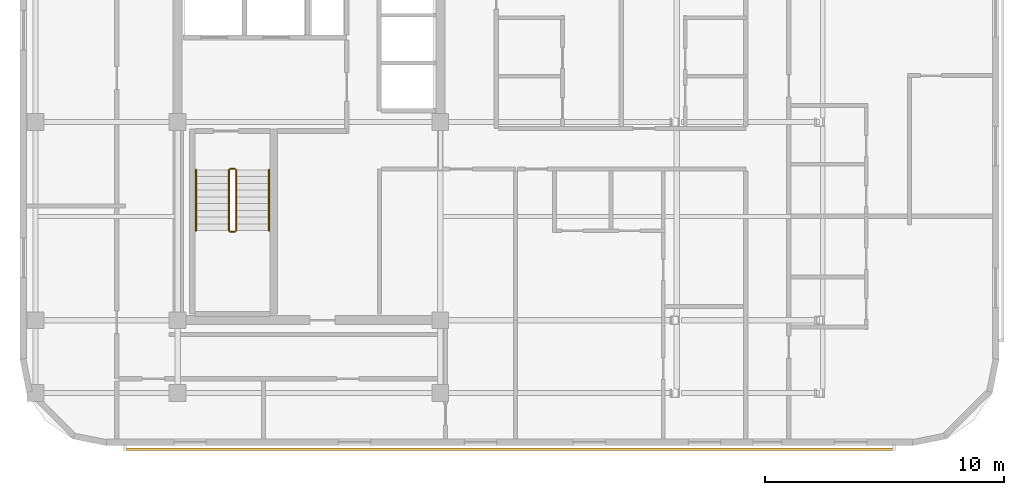
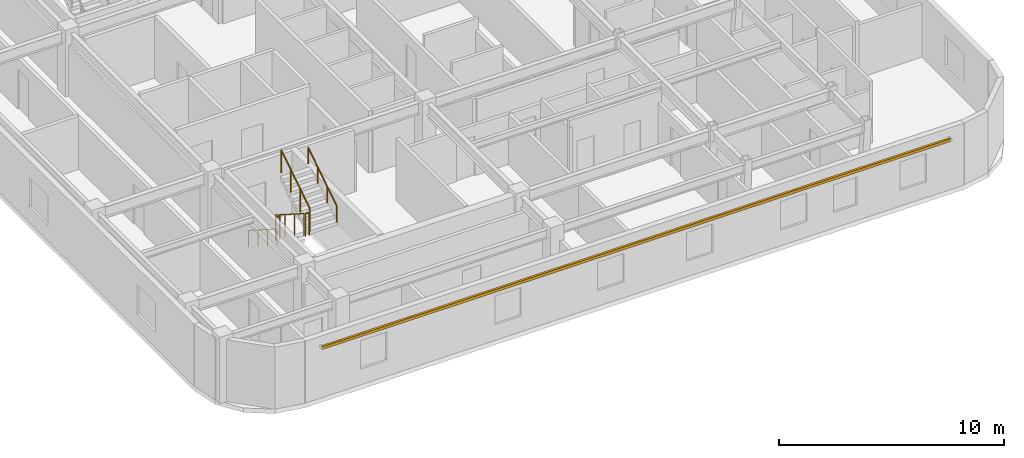
# One storey, part 8 of 10: 6 railings, 1 shading device.
"""IFC4 building model written with IfcOpenShell, lengths in metres."""

from ifc_helpers import new_model, si_unit, direction, frame, origin, origin_2d, place, context, subcontext, project, spatial, rectangle, circle, extrude, material, material_profile, profile_set, type_object, element, save


model = new_model("IFC4")

# Units and contexts
model_context = context("Model", 3, precision=1e-05, world=origin(), true_north=direction((0.0, 1.0)))
body_context = subcontext(model_context, "Body", "Model", "MODEL_VIEW")
ifc_project = project(units=[si_unit("LENGTHUNIT", "METRE"), si_unit("AREAUNIT", "SQUARE_METRE"), si_unit("VOLUMEUNIT", "CUBIC_METRE"), si_unit("PLANEANGLEUNIT", "RADIAN"), si_unit("MASSUNIT", "GRAM", prefix="KILO")], contexts=[model_context])

# Site, building, storey
site_placement = place(None, origin())
site = spatial("IfcSite", under=ifc_project, at=site_placement, CompositionType="ELEMENT")
building_placement = place(site_placement, origin())
building = spatial("IfcBuilding", under=site, at=building_placement, Name="Ochreholt Gables", CompositionType="ELEMENT")
storey_placement = place(building_placement, frame((0.0, 0.0, 144.60009765625)))
storey = spatial("IfcBuildingStorey", under=building, at=storey_placement, Name="L37", CompositionType="ELEMENT", Elevation=144.60009765625)

# Railings
ifc_material_1 = material(Name="Painted Steel Stair Guardrail", Category="steel")
railing_type_1 = type_object("IfcRailingType", Name="RL-ST-GUARD", PredefinedType="GUARDRAIL", material=ifc_material_1)
railing_1_placement = place(storey_placement, frame((26.35009765625, 15.5400390625, 0.179931640625)))
element("IfcRailing", 1, at=railing_1_placement, inside=storey, type_object=railing_type_1, Name="L37 ST-1 stair guard 1", PredefinedType="GUARDRAIL", context=body_context, shape_type="SweptSolid", body=[
    extrude(circle(Radius=0.02392578125, at=origin_2d()), frame((0.0, 0.0, 1.22607421875), z_axis=(0.0, -0.842949592929, 0.537992549931), x_axis=(1.0, 0.0, 0.0)), (0.0, 0.0, 1.0), 3.010986328125),
    extrude(circle(Radius=0.02099609375, at=origin_2d()), origin(), (0.0, 0.0, 1.0), 1.201904296875),
    extrude(circle(Radius=0.02099609375, at=origin_2d()), frame((0.0, -0.845947265625, 0.5400390625)), (0.0, 0.0, 1.0), 1.201904296875),
    extrude(circle(Radius=0.02099609375, at=origin_2d()), frame((0.0, -1.692138671875, 1.079833984375)), (0.0, 0.0, 1.0), 1.201904296875),
    extrude(circle(Radius=0.02099609375, at=origin_2d()), frame((0.0, -2.5380859375, 1.619873046875)), (0.0, 0.0, 1.0), 1.201904296875),
])
railing_2_placement = place(storey_placement, frame((26.39990234375, 12.951904296875, 1.7998046875)))
element("IfcRailing", 2, at=railing_2_placement, inside=storey, type_object=railing_type_1, Name="L37 ST-1 stair guard 2", PredefinedType="GUARDRAIL", context=body_context, shape_type="SweptSolid", body=[
    extrude(circle(Radius=0.02392578125, at=origin_2d()), frame((0.0, 0.0, 1.22607421875), z_axis=(1.0, 0.0, 0.0), x_axis=(0.0, 1.0, 0.0)), (0.0, 0.0, 1.0), 0.2001953125),
    extrude(circle(Radius=0.02099609375, at=origin_2d()), origin(), (0.0, 0.0, 1.0), 1.201904296875),
    extrude(circle(Radius=0.02099609375, at=origin_2d()), frame((0.2001953125, 0.0, 0.0)), (0.0, 0.0, 1.0), 1.201904296875),
])
railing_3_placement = place(storey_placement, frame((26.64990234375, 13.001953125, 1.97998046875)))
element("IfcRailing", 3, at=railing_3_placement, inside=storey, type_object=railing_type_1, Name="L37 ST-1 stair guard 3", PredefinedType="GUARDRAIL", context=body_context, shape_type="SweptSolid", body=[
    extrude(circle(Radius=0.02392578125, at=origin_2d()), frame((0.0, 0.0, 1.22607421875), z_axis=(0.0, 0.842949592929, 0.537992549931), x_axis=(-1.0, 0.0, 0.0)), (0.0, 0.0, 1.0), 3.010986328125),
    extrude(circle(Radius=0.02099609375, at=origin_2d()), origin(), (0.0, 0.0, 1.0), 1.201904296875),
    extrude(circle(Radius=0.02099609375, at=origin_2d()), frame((0.0, 0.845947265625, 0.5400390625)), (0.0, 0.0, 1.0), 1.201904296875),
    extrude(circle(Radius=0.02099609375, at=origin_2d()), frame((0.0, 1.692138671875, 1.079833984375)), (0.0, 0.0, 1.0), 1.201904296875),
    extrude(circle(Radius=0.02099609375, at=origin_2d()), frame((0.0, 2.5380859375, 1.619873046875)), (0.0, 0.0, 1.0), 1.201904296875),
])
railing_4_placement = place(storey_placement, frame((26.39990234375, 15.590087890625, 0.0)))
element("IfcRailing", 4, at=railing_4_placement, inside=storey, type_object=railing_type_1, Name="L37 ST-1 stair guard 4", PredefinedType="GUARDRAIL", context=body_context, shape_type="SweptSolid", body=[
    extrude(circle(Radius=0.02392578125, at=origin_2d()), frame((0.0, 0.0, 1.22607421875), z_axis=(1.0, 0.0, 0.0), x_axis=(0.0, 1.0, 0.0)), (0.0, 0.0, 1.0), 0.2001953125),
    extrude(circle(Radius=0.02099609375, at=origin_2d()), origin(), (0.0, 0.0, 1.0), 1.201904296875),
    extrude(circle(Radius=0.02099609375, at=origin_2d()), frame((0.2001953125, 0.0, 0.0)), (0.0, 0.0, 1.0), 1.201904296875),
])
ifc_material_2 = material(Name="Brushed Stainless Steel Wall Handrail", Category="steel")
railing_type_2 = type_object("IfcRailingType", Name="RL-ST-HAND", PredefinedType="HANDRAIL", material=ifc_material_2)
railing_5_placement = place(storey_placement, frame((24.969970703125, 15.5400390625, 0.179931640625)))
element("IfcRailing", 5, at=railing_5_placement, inside=storey, type_object=railing_type_2, Name="L37 ST-1 stair handrail 1", PredefinedType="HANDRAIL", context=body_context, shape_type="SweptSolid", body=[
    extrude(circle(Radius=0.02392578125, at=origin_2d()), frame((0.0, 0.0, 0.8759765625), z_axis=(0.0, -0.842949592929, 0.537992549931), x_axis=(1.0, 0.0, 0.0)), (0.0, 0.0, 1.0), 3.010986328125),
    extrude(circle(Radius=0.02099609375, at=origin_2d()), origin(), (0.0, 0.0, 1.0), 0.851806640625),
    extrude(circle(Radius=0.02099609375, at=origin_2d()), frame((0.0, -0.845947265625, 0.5400390625)), (0.0, 0.0, 1.0), 0.851806640625),
    extrude(circle(Radius=0.02099609375, at=origin_2d()), frame((0.0, -1.692138671875, 1.079833984375)), (0.0, 0.0, 1.0), 0.851806640625),
    extrude(circle(Radius=0.02099609375, at=origin_2d()), frame((0.0, -2.5380859375, 1.619873046875)), (0.0, 0.0, 1.0), 0.851806640625),
])
railing_6_placement = place(storey_placement, frame((28.030029296875, 13.001953125, 1.97998046875)))
element("IfcRailing", 6, at=railing_6_placement, inside=storey, type_object=railing_type_2, Name="L37 ST-1 stair handrail 2", PredefinedType="HANDRAIL", context=body_context, shape_type="SweptSolid", body=[
    extrude(circle(Radius=0.02392578125, at=origin_2d()), frame((0.0, 0.0, 0.8759765625), z_axis=(0.0, 0.842949592929, 0.537992549931), x_axis=(-1.0, 0.0, 0.0)), (0.0, 0.0, 1.0), 3.010986328125),
    extrude(circle(Radius=0.02099609375, at=origin_2d()), origin(), (0.0, 0.0, 1.0), 0.851806640625),
    extrude(circle(Radius=0.02099609375, at=origin_2d()), frame((0.0, 0.845947265625, 0.5400390625)), (0.0, 0.0, 1.0), 0.851806640625),
    extrude(circle(Radius=0.02099609375, at=origin_2d()), frame((0.0, 1.692138671875, 1.079833984375)), (0.0, 0.0, 1.0), 0.851806640625),
    extrude(circle(Radius=0.02099609375, at=origin_2d()), frame((0.0, 2.5380859375, 1.619873046875)), (0.0, 0.0, 1.0), 0.851806640625),
])

# Shading device
ifc_material_3 = material(Name="Warm Ochre Glazed Terracotta Baguette", Category="masonry")
ifc_material_profile = material_profile(ifc_material_3, rectangle(XDim=0.110107421875, YDim=0.14990234375, at=origin_2d()), Name="TCBAG110X150")
ifc_profile_set = profile_set([ifc_material_profile], Name="Warm Ochre Glazed Terracotta Baguette")
shading_device_type = type_object("IfcShadingDeviceType", Name="SHD-BAGUETTE", PredefinedType="USERDEFINED", material=ifc_profile_set)
shading_device_placement = place(storey_placement, frame((22.0, 3.85009765625, 2.83984375), z_axis=(1.0, 0.0, 0.0), x_axis=(0.0, 1.0, 0.0)))
element("IfcShadingDevice", 7, at=shading_device_placement, inside=storey, type_object=shading_device_type, Name="L37 Terracotta Baguette Screen S-1", ObjectType="BAGUETTE", PredefinedType="USERDEFINED", context=body_context, shape_type="SweptSolid", body=[
    extrude(rectangle(XDim=0.110107421875, YDim=0.14990234375, at=origin_2d()), origin(), (0.0, 0.0, 1.0), 32.199951171875),
])

save(model, "model.ifc")
